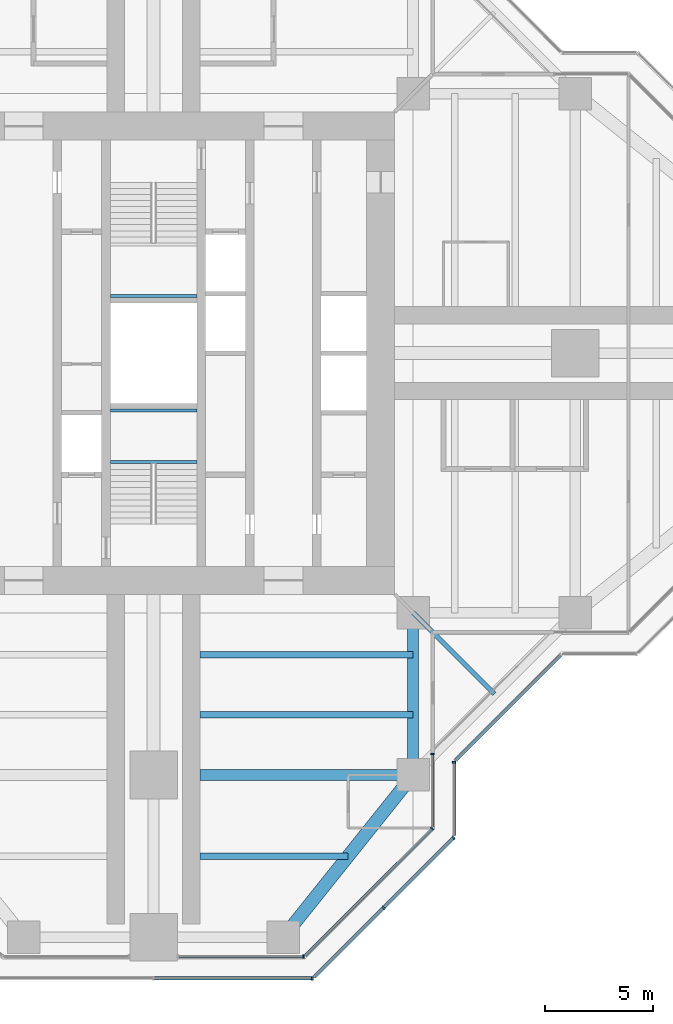
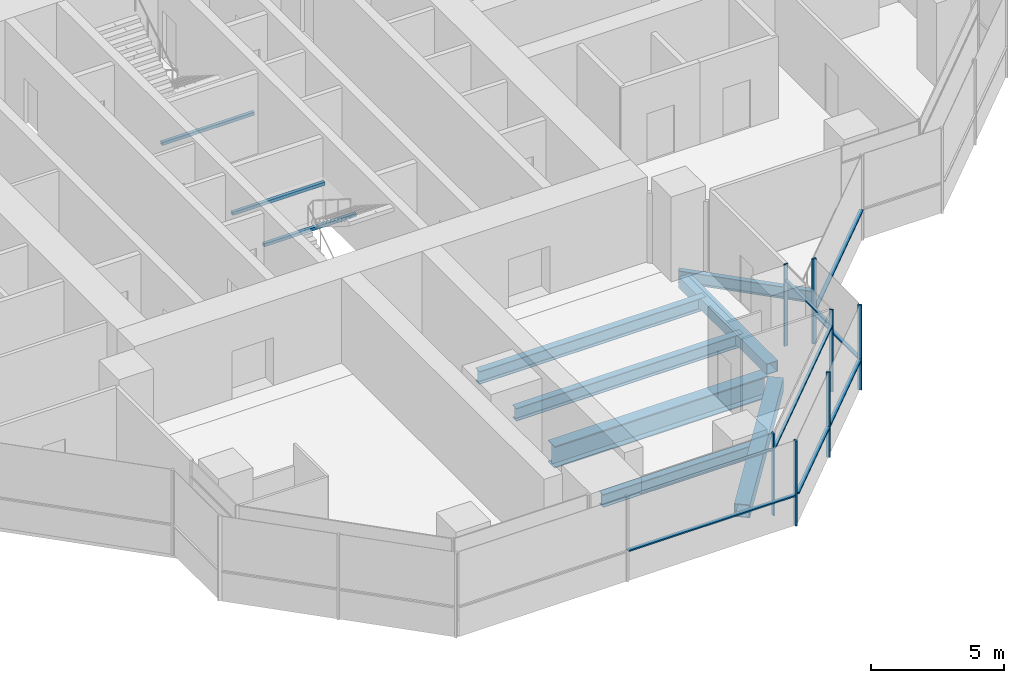
# One storey, part 4 of 17: 15 members, 10 beams, 7 elements without a shape of their own.
"""IFC4 building model written with IfcOpenShell, lengths in metres."""

from ifc_helpers import new_model, si_unit, direction, frame, origin, origin_2d, place, context, subcontext, project, spatial, rectangle, hollow_rectangle, i_section, extrude, material, material_profile, profile_set, type_object, element, aggregate, save


model = new_model("IFC4")

# Units and contexts
model_context = context("Model", 3, precision=1e-05, world=origin(), true_north=direction((0.0, 1.0)))
body_context = subcontext(model_context, "Body", "Model", "MODEL_VIEW")
ifc_project = project(units=[si_unit("LENGTHUNIT", "METRE"), si_unit("AREAUNIT", "SQUARE_METRE"), si_unit("VOLUMEUNIT", "CUBIC_METRE"), si_unit("PLANEANGLEUNIT", "RADIAN"), si_unit("MASSUNIT", "GRAM", prefix="KILO")], contexts=[model_context])

# Site, building, storey
site_placement = place(None, origin())
site = spatial("IfcSite", under=ifc_project, at=site_placement, CompositionType="ELEMENT")
building_placement = place(site_placement, origin())
building = spatial("IfcBuilding", under=site, at=building_placement, Name="Mizan Broadcast Tower", CompositionType="ELEMENT")
storey_placement = place(building_placement, frame((0.0, 0.0, 228.300048828125)))
storey = spatial("IfcBuildingStorey", under=building, at=storey_placement, Name="L53", CompositionType="ELEMENT", Elevation=228.300048828125)

# Beams
ifc_material_1 = material(Name="Steel S355", Category="steel")
ifc_material_profile_1 = material_profile(ifc_material_1, hollow_rectangle(XDim=0.5, YDim=0.5, WallThickness=0.030029296875, at=origin_2d()), Name="BOX 500x500x30")
ifc_profile_set_1 = profile_set([ifc_material_profile_1], Name="Steel S355")
beam_type_1 = type_object("IfcBeamType", Name="EDGE BEAM BOX 500x500x30", PredefinedType="SPANDREL", material=ifc_profile_set_1)
beam_1_placement = place(storey_placement, frame((12.0, -12.449951171875, -0.380126953125), z_axis=(0.0, -1.0, 0.0), x_axis=(1.0, 0.0, 0.0)))
element("IfcBeam", 1, at=beam_1_placement, inside=storey, type_object=beam_type_1, Name="Edge beam BOX 500x500x30 L53 south arm", PredefinedType="SPANDREL", context=body_context, shape_type="SweptSolid", body=[
    extrude(hollow_rectangle(XDim=0.5, YDim=0.5, WallThickness=0.030029296875, at=origin_2d()), origin(), (0.0, 0.0, 1.0), 6.60009765625),
])
ifc_material_2 = material(Name="Steel S355", Category="steel")
ifc_material_profile_2 = material_profile(ifc_material_2, hollow_rectangle(XDim=0.60009765625, YDim=0.60009765625, WallThickness=0.030029296875, at=origin_2d()), Name="BOX 600x600x30")
ifc_profile_set_2 = profile_set([ifc_material_profile_2], Name="Steel S355")
beam_type_2 = type_object("IfcBeamType", Name="EDGE BEAM BOX 600x600x30", PredefinedType="SPANDREL", material=ifc_profile_set_2)
beam_2_placement = place(storey_placement, frame((11.639892578125, -19.949951171875, -0.429931640625), z_axis=(-0.624673911726, -0.780885717636, 0.0), x_axis=(0.780885717636, -0.624673911726, 0.0)))
element("IfcBeam", 2, at=beam_2_placement, inside=storey, type_object=beam_type_2, Name="Edge beam BOX 600x600x30 L53 south arm", PredefinedType="SPANDREL", context=body_context, shape_type="SweptSolid", body=[
    extrude(hollow_rectangle(XDim=0.60009765625, YDim=0.60009765625, WallThickness=0.030029296875, at=origin_2d()), origin(), (0.0, 0.0, 1.0), 8.4521484375),
])
ifc_material_3 = material(Name="Steel S460", Category="steel")
ifc_material_profile_3 = material_profile(ifc_material_3, i_section(OverallWidth=0.5, OverallDepth=1.0, WebThickness=0.02490234375, FlangeThickness=0.050048828125, at=origin_2d()), Name="WPG 1000x500")
ifc_profile_set_3 = profile_set([ifc_material_profile_3], Name="Steel S460")
beam_type_3 = type_object("IfcBeamType", Name="GIRDER WPG 1000x500", PredefinedType="BEAM", material=ifc_profile_set_3)
beam_3_placement = place(storey_placement, frame((11.408935546875, -19.5, -0.630126953125), z_axis=(-1.0, 0.0, 0.0), x_axis=(0.0, -1.0, 0.0)))
element("IfcBeam", 3, at=beam_3_placement, inside=storey, type_object=beam_type_3, Name="Girder WPG 1000x500 L53 south arm", PredefinedType="BEAM", context=body_context, shape_type="SweptSolid", body=[
    extrude(i_section(OverallWidth=0.5, OverallDepth=1.0, WebThickness=0.02490234375, FlangeThickness=0.050048828125, at=origin_2d()), origin(), (0.0, 0.0, 1.0), 9.259033203125),
])

# Curtain wall, member
ifc_material_4 = material(Name="Aluminium framed glazing", Category="aluminium")
curtain_wall_type_1 = type_object("IfcCurtainWallType", Name="INNER SKIN HIGH ZONE", PredefinedType="USERDEFINED", material=ifc_material_4)
curtain_wall_1_placement = place(storey_placement, origin())
curtain_wall_1 = element("IfcCurtainWall", 4, at=curtain_wall_1_placement, inside=storey, type_object=curtain_wall_type_1, Name="Inner skin high zone L53 S end", ObjectType="INNER SKIN HIGH ZONE", PredefinedType="USERDEFINED")
ifc_material_5 = material(Name="Aluminium, pale anodised", Category="aluminium")
ifc_material_profile_4 = material_profile(ifc_material_5, rectangle(XDim=0.159912109375, YDim=0.06005859375, at=origin_2d()), Name="MULLION 160x60")
ifc_profile_set_4 = profile_set([ifc_material_profile_4], Name="Aluminium, pale anodised")
member_type_1 = type_object("IfcMemberType", Name="INNER SKIN MULLION 60x160", PredefinedType="MULLION", material=ifc_profile_set_4)
member_1_placement = place(storey_placement, frame((6.928466796875, -27.89990234375, 0.0), z_axis=(0.0, 0.0, 1.0), x_axis=(0.0, 1.0, 0.0)))
member_1 = element("IfcMember", 5, at=member_1_placement, type_object=member_type_1, Name="Inner skin high zone L53 S end mullion 2", PredefinedType="MULLION", context=body_context, shape_type="SweptSolid", body=[
    extrude(rectangle(XDim=0.159912109375, YDim=0.06005859375, at=origin_2d()), origin(), (0.0, 0.0, 1.0), 3.77001953125),
])

curtain_wall_2_placement = place(storey_placement, origin())
curtain_wall_2 = element("IfcCurtainWall", 6, at=curtain_wall_2_placement, inside=storey, type_object=curtain_wall_type_1, Name="Inner skin high zone L53 S chamfer", ObjectType="INNER SKIN HIGH ZONE", PredefinedType="USERDEFINED")
member_2_placement = place(storey_placement, frame((12.87890625, -21.979736328125, 0.0), z_axis=(0.0, 0.0, 1.0), x_axis=(-0.707106781187, 0.707106781187, 0.0)))
member_2 = element("IfcMember", 7, at=member_2_placement, type_object=member_type_1, Name="Inner skin high zone L53 S chamfer mullion 2", PredefinedType="MULLION", context=body_context, shape_type="SweptSolid", body=[
    extrude(rectangle(XDim=0.159912109375, YDim=0.06005859375, at=origin_2d()), origin(), (0.0, 0.0, 1.0), 3.77001953125),
])

curtain_wall_3_placement = place(storey_placement, origin())
curtain_wall_3 = element("IfcCurtainWall", 8, at=curtain_wall_3_placement, inside=storey, type_object=curtain_wall_type_1, Name="Inner skin high zone L53 S side", ObjectType="INNER SKIN HIGH ZONE", PredefinedType="USERDEFINED")
member_3_placement = place(storey_placement, frame((12.89990234375, -18.530029296875, 0.0), z_axis=(0.0, 0.0, 1.0), x_axis=(-1.0, 0.0, 0.0)))
member_3 = element("IfcMember", 9, at=member_3_placement, type_object=member_type_1, Name="Inner skin high zone L53 S side mullion 2", PredefinedType="MULLION", context=body_context, shape_type="SweptSolid", body=[
    extrude(rectangle(XDim=0.159912109375, YDim=0.06005859375, at=origin_2d()), origin(), (0.0, 0.0, 1.0), 3.77001953125),
])

# Member
ifc_material_6 = material(Name="Aluminium, pale anodised", Category="aluminium")
ifc_material_profile_5 = material_profile(ifc_material_6, rectangle(XDim=0.1201171875, YDim=0.06005859375, at=origin_2d()), Name="TRANSOM 120x60")
ifc_profile_set_5 = profile_set([ifc_material_profile_5], Name="Aluminium, pale anodised")
member_type_2 = type_object("IfcMemberType", Name="INNER SKIN TRANSOM 60x120", PredefinedType="USERDEFINED", material=ifc_profile_set_5)
member_4_placement = place(storey_placement, frame((1.159912109375, -27.89990234375, 3.030029296875), z_axis=(1.0, 0.0, 0.0), x_axis=(0.0, 1.0, 0.0)))
member_4 = element("IfcMember", 10, at=member_4_placement, type_object=member_type_2, Name="Inner skin high zone L53 S end transom 1.1", ObjectType="TRANSOM", PredefinedType="USERDEFINED", context=body_context, shape_type="SweptSolid", body=[
    extrude(rectangle(XDim=0.1201171875, YDim=0.06005859375, at=origin_2d()), origin(), (0.0, 0.0, 1.0), 5.73876953125),
])

aggregate(curtain_wall_1, [member_1, member_4])

member_5_placement = place(storey_placement, frame((7.0009765625, -27.857666015625, 3.030029296875), z_axis=(0.707106781187, 0.707106781187, 0.0), x_axis=(-0.707106781187, 0.707106781187, 0.0)))
member_5 = element("IfcMember", 11, at=member_5_placement, type_object=member_type_2, Name="Inner skin high zone L53 S chamfer transom 1.1", ObjectType="TRANSOM", PredefinedType="USERDEFINED", context=body_context, shape_type="SweptSolid", body=[
    extrude(rectangle(XDim=0.1201171875, YDim=0.06005859375, at=origin_2d()), origin(), (0.0, 0.0, 1.0), 8.28271484375),
])

aggregate(curtain_wall_2, [member_2, member_5])

member_6_placement = place(storey_placement, frame((12.89990234375, -21.898681640625, 3.030029296875), z_axis=(0.0, 1.0, 0.0), x_axis=(-1.0, 0.0, 0.0)))
member_6 = element("IfcMember", 12, at=member_6_placement, type_object=member_type_2, Name="Inner skin high zone L53 S side transom 1.1", ObjectType="TRANSOM", PredefinedType="USERDEFINED", context=body_context, shape_type="SweptSolid", body=[
    extrude(rectangle(XDim=0.1201171875, YDim=0.06005859375, at=origin_2d()), origin(), (0.0, 0.0, 1.0), 3.338623046875),
])

aggregate(curtain_wall_3, [member_3, member_6])

# Beams
ifc_material_7 = material(Name="Steel S355", Category="steel")
ifc_material_profile_6 = material_profile(ifc_material_7, hollow_rectangle(XDim=0.14990234375, YDim=0.14990234375, WallThickness=0.008056640625, InnerFilletRadius=0.008056640625, OuterFilletRadius=0.011962890625, at=origin_2d()), Name="SHS 150x150x8")
ifc_profile_set_6 = profile_set([ifc_material_profile_6], Name="Steel S355")
beam_type_4 = type_object("IfcBeamType", Name="LANDING TRIMMER SHS 150x150x8", PredefinedType="BEAM", material=ifc_profile_set_6)
for number, where, z_axis, x_axis, name in (
    (13, (-2.0, -5.02490234375, 1.675048828125), (1.0, 0.0, 0.0), (0.0, 1.0, 0.0), "Stair A landing trimmer L53"),
    (14, (-2.0, -2.64990234375, 1.675048828125), (1.0, 0.0, 0.0), (0.0, 1.0, 0.0), "Stair A landing trimmer L53"),
    (15, (2.0, 2.64990234375, 1.675048828125), (-1.0, 0.0, 0.0), (0.0, -1.0, 0.0), "Stair B landing trimmer L53"),
):
    element("IfcBeam", number, at=place(storey_placement, frame(where, z_axis=z_axis, x_axis=x_axis)), inside=storey, type_object=beam_type_4, Name=name, PredefinedType="BEAM", context=body_context, shape_type="SweptSolid", body=[
        extrude(hollow_rectangle(XDim=0.14990234375, YDim=0.14990234375, WallThickness=0.008056640625, InnerFilletRadius=0.008056640625, OuterFilletRadius=0.011962890625, at=origin_2d()), origin(), (0.0, 0.0, 1.0), 4.0),
    ])

# Curtain wall, member
ifc_material_8 = material(Name="Aluminium framed glazing", Category="aluminium")
curtain_wall_type_2 = type_object("IfcCurtainWallType", Name="OUTER SKIN", PredefinedType="USERDEFINED", material=ifc_material_8)
curtain_wall_4_placement = place(storey_placement, origin())
curtain_wall_4 = element("IfcCurtainWall", 16, at=curtain_wall_4_placement, inside=storey, type_object=curtain_wall_type_2, Name="Outer skin L53 S end", ObjectType="OUTER SKIN", PredefinedType="USERDEFINED")
ifc_material_9 = material(Name="Aluminium, pale anodised", Category="aluminium")
ifc_material_profile_7 = material_profile(ifc_material_9, rectangle(XDim=0.159912109375, YDim=0.080078125, at=origin_2d()), Name="MULLION 160x80")
ifc_profile_set_7 = profile_set([ifc_material_profile_7], Name="Aluminium, pale anodised")
member_type_3 = type_object("IfcMemberType", Name="OUTER SKIN MULLION 80x160", PredefinedType="MULLION", material=ifc_profile_set_7)
member_7_placement = place(storey_placement, frame((7.332763671875, -28.89990234375, 0.0), z_axis=(0.0, 0.0, 1.0), x_axis=(0.0, 1.0, 0.0)))
member_7 = element("IfcMember", 17, at=member_7_placement, type_object=member_type_3, Name="Outer skin L53 S end mullion 3", PredefinedType="MULLION", context=body_context, shape_type="SweptSolid", body=[
    extrude(rectangle(XDim=0.159912109375, YDim=0.080078125, at=origin_2d()), origin(), (0.0, 0.0, 1.0), 3.89990234375),
])

# Curtain wall, members
curtain_wall_5_placement = place(storey_placement, origin())
curtain_wall_5 = element("IfcCurtainWall", 18, at=curtain_wall_5_placement, inside=storey, type_object=curtain_wall_type_2, Name="Outer skin L53 S chamfer", ObjectType="OUTER SKIN", PredefinedType="USERDEFINED")
member_8_placement = place(storey_placement, frame((10.636474609375, -25.636474609375, 0.0), z_axis=(0.0, 0.0, 1.0), x_axis=(-0.707106781187, 0.707106781187, 0.0)))
member_8 = element("IfcMember", 19, at=member_8_placement, type_object=member_type_3, Name="Outer skin L53 S chamfer mullion 2", PredefinedType="MULLION", context=body_context, shape_type="SweptSolid", body=[
    extrude(rectangle(XDim=0.159912109375, YDim=0.080078125, at=origin_2d()), origin(), (0.0, 0.0, 1.0), 3.89990234375),
])
member_9_placement = place(storey_placement, frame((13.871826171875, -22.401123046875, 0.0), z_axis=(0.0, 0.0, 1.0), x_axis=(-0.707106781187, 0.707106781187, 0.0)))
member_9 = element("IfcMember", 20, at=member_9_placement, type_object=member_type_3, Name="Outer skin L53 S chamfer mullion 3", PredefinedType="MULLION", context=body_context, shape_type="SweptSolid", body=[
    extrude(rectangle(XDim=0.159912109375, YDim=0.080078125, at=origin_2d()), origin(), (0.0, 0.0, 1.0), 3.89990234375),
])

# Curtain wall, member
curtain_wall_6_placement = place(storey_placement, origin())
curtain_wall_6 = element("IfcCurtainWall", 21, at=curtain_wall_6_placement, inside=storey, type_object=curtain_wall_type_2, Name="Outer skin L53 S side", ObjectType="OUTER SKIN", PredefinedType="USERDEFINED")
member_10_placement = place(storey_placement, frame((13.89990234375, -18.912841796875, 0.0), z_axis=(0.0, 0.0, 1.0), x_axis=(-1.0, 0.0, 0.0)))
member_10 = element("IfcMember", 22, at=member_10_placement, type_object=member_type_3, Name="Outer skin L53 S side mullion 2", PredefinedType="MULLION", context=body_context, shape_type="SweptSolid", body=[
    extrude(rectangle(XDim=0.159912109375, YDim=0.080078125, at=origin_2d()), origin(), (0.0, 0.0, 1.0), 3.89990234375),
])

# Member
ifc_material_10 = material(Name="Aluminium, pale anodised", Category="aluminium")
ifc_material_profile_8 = material_profile(ifc_material_10, rectangle(XDim=0.159912109375, YDim=0.06005859375, at=origin_2d()), Name="TRANSOM 160x60")
ifc_profile_set_8 = profile_set([ifc_material_profile_8], Name="Aluminium, pale anodised")
member_type_4 = type_object("IfcMemberType", Name="OUTER SKIN TRANSOM 60x160", PredefinedType="USERDEFINED", material=ifc_profile_set_8)
member_11_placement = place(storey_placement, frame((0.0400390625, -28.89990234375, 1.39990234375), z_axis=(1.0, 0.0, 0.0), x_axis=(0.0, 1.0, 0.0)))
member_11 = element("IfcMember", 23, at=member_11_placement, type_object=member_type_4, Name="Outer skin L53 S end transom 2.1", ObjectType="TRANSOM", PredefinedType="USERDEFINED", context=body_context, shape_type="SweptSolid", body=[
    extrude(rectangle(XDim=0.159912109375, YDim=0.06005859375, at=origin_2d()), origin(), (0.0, 0.0, 1.0), 7.252685546875),
])

aggregate(curtain_wall_4, [member_7, member_11])

member_12_placement = place(storey_placement, frame((7.429443359375, -28.843505859375, 1.39990234375), z_axis=(0.707106781187, 0.707106781187, 0.0), x_axis=(-0.707106781187, 0.707106781187, 0.0)))
member_12 = element("IfcMember", 24, at=member_12_placement, type_object=member_type_4, Name="Outer skin L53 S chamfer transom 1.1", ObjectType="TRANSOM", PredefinedType="USERDEFINED", context=body_context, shape_type="SweptSolid", body=[
    extrude(rectangle(XDim=0.159912109375, YDim=0.06005859375, at=origin_2d()), origin(), (0.0, 0.0, 1.0), 4.495361328125),
])

member_13_placement = place(storey_placement, frame((10.664794921875, -25.608154296875, 1.39990234375), z_axis=(0.707106781187, 0.707106781187, 0.0), x_axis=(-0.707106781187, 0.707106781187, 0.0)))
member_13 = element("IfcMember", 25, at=member_13_placement, type_object=member_type_4, Name="Outer skin L53 S chamfer transom 2.1", ObjectType="TRANSOM", PredefinedType="USERDEFINED", context=body_context, shape_type="SweptSolid", body=[
    extrude(rectangle(XDim=0.159912109375, YDim=0.06005859375, at=origin_2d()), origin(), (0.0, 0.0, 1.0), 4.495361328125),
])

aggregate(curtain_wall_5, [member_8, member_9, member_12, member_13])

member_14_placement = place(storey_placement, frame((13.89990234375, -22.292724609375, 1.39990234375), z_axis=(0.0, 1.0, 0.0), x_axis=(-1.0, 0.0, 0.0)))
member_14 = element("IfcMember", 26, at=member_14_placement, type_object=member_type_4, Name="Outer skin L53 S side transom 1.1", ObjectType="TRANSOM", PredefinedType="USERDEFINED", context=body_context, shape_type="SweptSolid", body=[
    extrude(rectangle(XDim=0.159912109375, YDim=0.06005859375, at=origin_2d()), origin(), (0.0, 0.0, 1.0), 3.33984375),
])

aggregate(curtain_wall_6, [member_10, member_14])

# Curtain wall, member
curtain_wall_7_placement = place(storey_placement, origin())
curtain_wall_7 = element("IfcCurtainWall", 27, at=curtain_wall_7_placement, inside=storey, type_object=curtain_wall_type_2, Name="Outer skin L53 E chamfer", ObjectType="OUTER SKIN", PredefinedType="USERDEFINED")
member_15_placement = place(storey_placement, frame((13.95654296875, -18.816162109375, 1.39990234375), z_axis=(0.707106781187, 0.707106781187, 0.0), x_axis=(-0.707106781187, 0.707106781187, 0.0)))
member_15 = element("IfcMember", 28, at=member_15_placement, type_object=member_type_4, Name="Outer skin L53 E chamfer transom 1.1", ObjectType="TRANSOM", PredefinedType="USERDEFINED", context=body_context, shape_type="SweptSolid", body=[
    extrude(rectangle(XDim=0.159912109375, YDim=0.06005859375, at=origin_2d()), origin(), (0.0, 0.0, 1.0), 6.87255859375),
])
aggregate(curtain_wall_7, [member_15])

# Beams
ifc_material_11 = material(Name="Steel S355", Category="steel")
ifc_material_profile_9 = material_profile(ifc_material_11, i_section(OverallWidth=0.300048828125, OverallDepth=0.590087890625, WebThickness=0.012939453125, FlangeThickness=0.02490234375, FilletRadius=0.027099609375, at=origin_2d()), Name="HEA 600")
ifc_profile_set_9 = profile_set([ifc_material_profile_9], Name="Steel S355")
beam_type_5 = type_object("IfcBeamType", Name="SECONDARY BEAM HEA 600", PredefinedType="JOIST", material=ifc_profile_set_9)
for number, where, z_axis, x_axis, name in (
    (29, (12.0, -13.933349609375, -0.425048828125), (-1.0, 0.0, 0.0), (0.0, -1.0, 0.0), "Secondary beam HEA 600 L53 south arm"),
    (30, (12.0, -16.716552734375, -0.425048828125), (-1.0, 0.0, 0.0), (0.0, -1.0, 0.0), "Secondary beam HEA 600 L53 south arm"),
):
    element("IfcBeam", number, at=place(storey_placement, frame(where, z_axis=z_axis, x_axis=x_axis)), inside=storey, type_object=beam_type_5, Name=name, PredefinedType="JOIST", context=body_context, shape_type="SweptSolid", body=[
        extrude(i_section(OverallWidth=0.300048828125, OverallDepth=0.590087890625, WebThickness=0.012939453125, FlangeThickness=0.02490234375, FilletRadius=0.027099609375, at=origin_2d()), origin(), (0.0, 0.0, 1.0), 9.85009765625),
    ])
beam_4_placement = place(storey_placement, frame((9.0, -23.25, -0.425048828125), z_axis=(-1.0, 0.0, 0.0), x_axis=(0.0, -1.0, 0.0)))
element("IfcBeam", 31, at=beam_4_placement, inside=storey, type_object=beam_type_5, Name="Secondary beam HEA 600 L53 south arm", PredefinedType="JOIST", context=body_context, shape_type="SweptSolid", body=[
    extrude(i_section(OverallWidth=0.300048828125, OverallDepth=0.590087890625, WebThickness=0.012939453125, FlangeThickness=0.02490234375, FilletRadius=0.027099609375, at=origin_2d()), origin(), (0.0, 0.0, 1.0), 6.85009765625),
])
ifc_material_12 = material(Name="Steel S355", Category="steel")
ifc_material_profile_10 = material_profile(ifc_material_12, i_section(OverallWidth=0.2099609375, OverallDepth=0.550048828125, WebThickness=0.010986328125, FlangeThickness=0.01708984375, FilletRadius=0.02392578125, at=origin_2d()), Name="IPE 550")
ifc_profile_set_10 = profile_set([ifc_material_profile_10], Name="Steel S355")
beam_type_6 = type_object("IfcBeamType", Name="SECONDARY BEAM IPE 550", PredefinedType="JOIST", material=ifc_profile_set_10)
beam_5_placement = place(storey_placement, frame((12.0, -12.0, -0.405029296875), z_axis=(0.707106781187, -0.707106781187, 0.0), x_axis=(0.707106781187, 0.707106781187, 0.0)))
element("IfcBeam", 32, at=beam_5_placement, inside=storey, type_object=beam_type_6, Name="Winter garden beam L53 S", PredefinedType="JOIST", context=body_context, shape_type="SweptSolid", body=[
    extrude(i_section(OverallWidth=0.2099609375, OverallDepth=0.550048828125, WebThickness=0.010986328125, FlangeThickness=0.01708984375, FilletRadius=0.02392578125, at=origin_2d()), origin(), (0.0, 0.0, 1.0), 5.30322265625),
])

save(model, "model.ifc")
